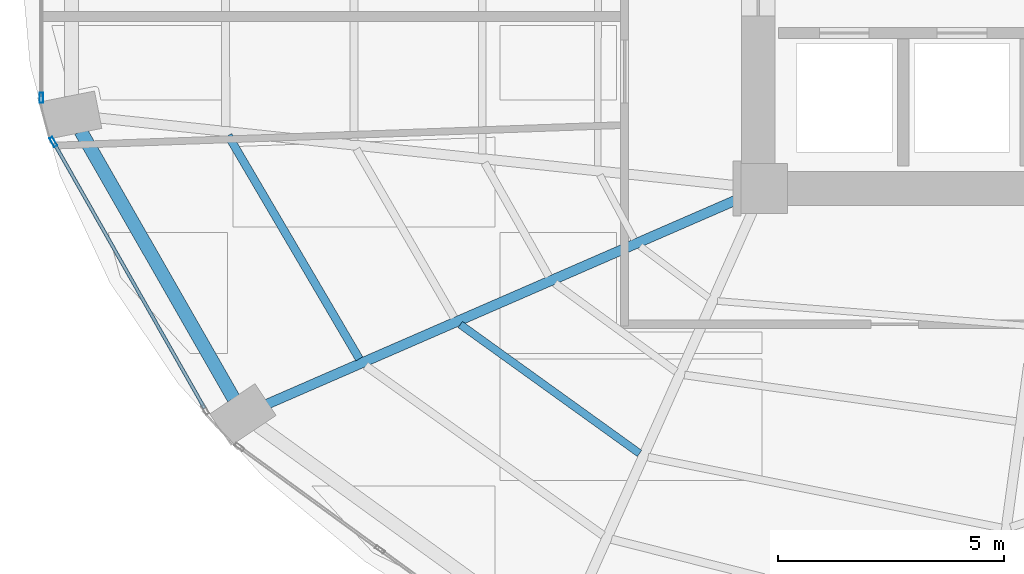
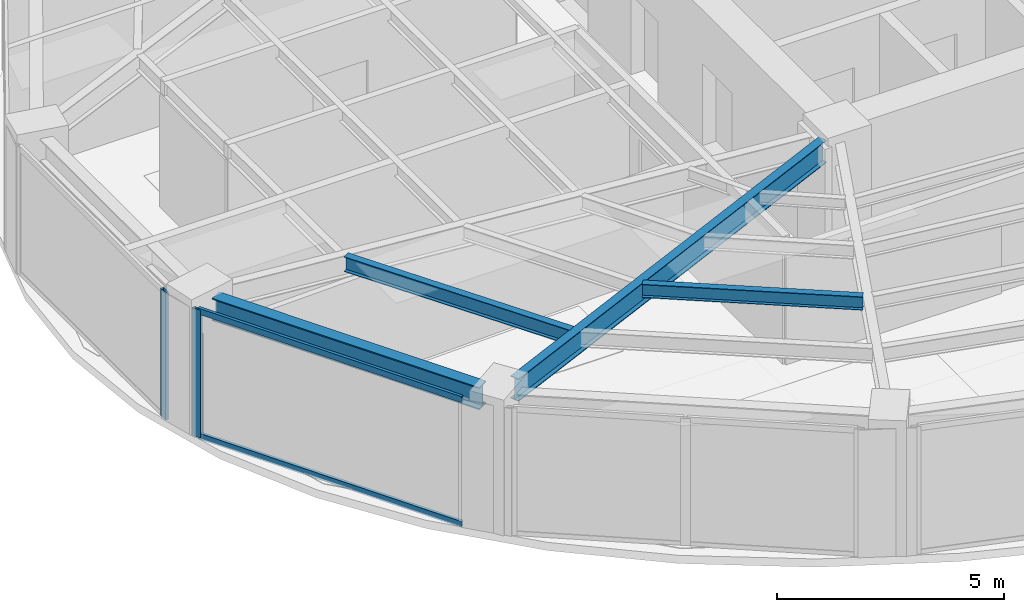
# One storey, part 3 of 23: 4 beams, 4 members, 2 elements without a shape of their own.
"""IFC4 building model written with IfcOpenShell, lengths in metres."""

from ifc_helpers import new_model, si_unit, direction, frame, origin, origin_2d, place, context, subcontext, project, spatial, hollow_rectangle, i_section, extrude, material, layer, layer_set, material_profile, profile_set, type_object, element, aggregate, save


model = new_model("IFC4")

# Units and contexts
model_context = context("Model", 3, precision=1e-05, world=origin(), true_north=direction((0.0, 1.0)))
body_context = subcontext(model_context, "Body", "Model", "MODEL_VIEW")
ifc_project = project(units=[si_unit("LENGTHUNIT", "METRE"), si_unit("AREAUNIT", "SQUARE_METRE"), si_unit("VOLUMEUNIT", "CUBIC_METRE"), si_unit("PLANEANGLEUNIT", "RADIAN"), si_unit("MASSUNIT", "GRAM", prefix="KILO")], contexts=[model_context])

# Site, building, storey
site_placement = place(None, origin())
site = spatial("IfcSite", under=ifc_project, at=site_placement, CompositionType="ELEMENT")
building_placement = place(site_placement, origin())
building = spatial("IfcBuilding", under=site, at=building_placement, Name="Lazwardi Medical Tower", CompositionType="ELEMENT")
storey_placement = place(building_placement, frame((0.0, 0.0, 92.68798828125)))
storey = spatial("IfcBuildingStorey", under=building, at=storey_placement, Name="L23", CompositionType="ELEMENT", Elevation=92.68798828125)

# Beams
ifc_material_1 = material(Name="Steel S355", Category="steel")
ifc_material_profile_1 = material_profile(ifc_material_1, i_section(OverallWidth=0.300048828125, OverallDepth=0.60009765625, WebThickness=0.015380859375, FlangeThickness=0.030029296875, at=origin_2d()), Name="HEB 600")
ifc_profile_set_1 = profile_set([ifc_material_profile_1], Name="Steel S355")
beam_type_1 = type_object("IfcBeamType", Name="BM-RB-Z2", PredefinedType="BEAM", material=ifc_profile_set_1)
beam_1_placement = place(storey_placement, frame((11.3408203125, 21.664306640625, 3.1279296875), z_axis=(0.496637551254, -0.867958030486, 0.0), x_axis=(0.867958030486, 0.496637551254, 0.0)))
element("IfcBeam", 1, at=beam_1_placement, inside=storey, type_object=beam_type_1, Name="Ring beam RB-03 B13 L23", PredefinedType="BEAM", context=body_context, shape_type="SweptSolid", body=[
    extrude(i_section(OverallWidth=0.300048828125, OverallDepth=0.60009765625, WebThickness=0.015380859375, FlangeThickness=0.030029296875, at=origin_2d()), origin(), (0.0, 0.0, 1.0), 6.801025390625),
])
ifc_material_profile_2 = material_profile(ifc_material_1, i_section(OverallWidth=0.219970703125, OverallDepth=0.60009765625, WebThickness=0.011962890625, FlangeThickness=0.01904296875, at=origin_2d()), Name="IPE 600")
ifc_profile_set_2 = profile_set([ifc_material_profile_2], Name="Steel S355")
beam_type_2 = type_object("IfcBeamType", Name="BM-RG-W1", PredefinedType="BEAM", material=ifc_profile_set_2)
beam_2_placement = place(storey_placement, frame((15.4541015625, 15.63671875, 3.1279296875), z_axis=(0.916941336121, 0.399022037127, 0.0), x_axis=(-0.399022037127, 0.916941336121, 0.0)))
element("IfcBeam", 2, at=beam_2_placement, inside=storey, type_object=beam_type_2, Name="Radial girder RG-02 R14 L23", PredefinedType="BEAM", context=body_context, shape_type="SweptSolid", body=[
    extrude(i_section(OverallWidth=0.219970703125, OverallDepth=0.60009765625, WebThickness=0.011962890625, FlangeThickness=0.01904296875, at=origin_2d()), origin(), (0.0, 0.0, 1.0), 11.40234375),
])
ifc_material_profile_3 = material_profile(ifc_material_1, i_section(OverallWidth=0.179931640625, OverallDepth=0.39990234375, WebThickness=0.008544921875, FlangeThickness=0.013427734375, at=origin_2d()), Name="IPE 400")
ifc_profile_set_3 = profile_set([ifc_material_profile_3], Name="Steel S355")
beam_type_3 = type_object("IfcBeamType", Name="BM-SJ-01", PredefinedType="JOIST", material=ifc_profile_set_3)
beam_3_placement = place(storey_placement, frame((14.597900390625, 21.56787109375, 3.22802734375), z_axis=(0.506195045201, -0.862419025888, 0.0), x_axis=(0.862419025888, 0.506195045201, 0.0)))
element("IfcBeam", 3, at=beam_3_placement, inside=storey, type_object=beam_type_3, Name="Secondary joist SJ-01 R1 B13 L23", PredefinedType="JOIST", context=body_context, shape_type="SweptSolid", body=[
    extrude(i_section(OverallWidth=0.179931640625, OverallDepth=0.39990234375, WebThickness=0.008544921875, FlangeThickness=0.013427734375, at=origin_2d()), origin(), (0.0, 0.0, 1.0), 5.71728515625),
])
ifc_material_profile_4 = material_profile(ifc_material_1, i_section(OverallWidth=0.169921875, OverallDepth=0.360107421875, WebThickness=0.008056640625, FlangeThickness=0.0126953125, at=origin_2d()), Name="IPE 360")
ifc_profile_set_4 = profile_set([ifc_material_profile_4], Name="Steel S355")
beam_type_4 = type_object("IfcBeamType", Name="BM-SJ-02", PredefinedType="JOIST", material=ifc_profile_set_4)
beam_4_placement = place(storey_placement, frame((19.721435546875, 17.395263671875, 3.248046875), z_axis=(0.811888517177, -0.583812500446, 0.0), x_axis=(0.583812500446, 0.811888517177, 0.0)))
element("IfcBeam", 4, at=beam_4_placement, inside=storey, type_object=beam_type_4, Name="Secondary joist SJ-02 R2 B14 L23", PredefinedType="JOIST", context=body_context, shape_type="SweptSolid", body=[
    extrude(i_section(OverallWidth=0.169921875, OverallDepth=0.360107421875, WebThickness=0.008056640625, FlangeThickness=0.0126953125, at=origin_2d()), origin(), (0.0, 0.0, 1.0), 4.874755859375),
])

# Curtain wall, member
ifc_material_2 = material(Name="Anodised bronze aluminium and solar control glazing", Category="aluminium")
ifc_layer = layer(ifc_material_2, 0.195068359375)
ifc_layer_set = layer_set([ifc_layer], Name="Anodised bronze aluminium and solar control glazing")
curtain_wall_type = type_object("IfcCurtainWallType", Name="CW-SYS-03", PredefinedType="NOTDEFINED", material=ifc_layer_set)
curtain_wall_1_placement = place(storey_placement, origin())
curtain_wall_1 = element("IfcCurtainWall", 5, at=curtain_wall_1_placement, inside=storey, type_object=curtain_wall_type, Name="L23 Unitised bronze curtain wall CW-03", PredefinedType="NOTDEFINED")
ifc_material_3 = material(Name="Anodised bronze aluminium", Category="aluminium")
ifc_material_profile_5 = material_profile(ifc_material_3, hollow_rectangle(XDim=0.074951171875, YDim=0.219970703125, WallThickness=0.00390625, at=origin_2d()), Name="ALU-MULLION 220x75x4")
ifc_profile_set_5 = profile_set([ifc_material_profile_5], Name="Anodised bronze aluminium")
member_type_1 = type_object("IfcMemberType", Name="CW-MUL-01", PredefinedType="MULLION", material=ifc_profile_set_5)
member_1_placement = place(storey_placement, frame((10.471923828125, 22.402587890625, 0.0), z_axis=(0.0, 0.0, 1.0), x_axis=(1.0, 0.0, 0.0)))
member_1 = element("IfcMember", 6, at=member_1_placement, type_object=member_type_1, Name="CW-03 mullion 2", PredefinedType="MULLION", context=body_context, shape_type="SweptSolid", body=[
    extrude(hollow_rectangle(XDim=0.074951171875, YDim=0.219970703125, WallThickness=0.00390625, at=origin_2d()), origin(), (0.0, 0.0, 1.0), 3.427978515625),
])
aggregate(curtain_wall_1, [member_1])

# Curtain wall, members
curtain_wall_2_placement = place(storey_placement, origin())
curtain_wall_2 = element("IfcCurtainWall", 7, at=curtain_wall_2_placement, inside=storey, type_object=curtain_wall_type, Name="L23 Unitised bronze curtain wall CW-03", PredefinedType="NOTDEFINED")
member_2_placement = place(storey_placement, frame((10.7373046875, 21.42626953125, 0.0), z_axis=(0.0, 0.0, 1.0), x_axis=(0.869687265712, 0.493603140041, 0.0)))
member_2 = element("IfcMember", 8, at=member_2_placement, type_object=member_type_1, Name="CW-03 mullion 1", PredefinedType="MULLION", context=body_context, shape_type="SweptSolid", body=[
    extrude(hollow_rectangle(XDim=0.074951171875, YDim=0.219970703125, WallThickness=0.00390625, at=origin_2d()), origin(), (0.0, 0.0, 1.0), 3.427978515625),
])
ifc_material_profile_6 = material_profile(ifc_material_3, hollow_rectangle(XDim=0.074951171875, YDim=0.159912109375, WallThickness=0.00390625, at=origin_2d()), Name="ALU-TRANSOM 160x75x4")
ifc_profile_set_6 = profile_set([ifc_material_profile_6], Name="Anodised bronze aluminium")
member_type_2 = type_object("IfcMemberType", Name="CW-TRN-01", PredefinedType="USERDEFINED", material=ifc_profile_set_6)
member_3_placement = place(storey_placement, frame((10.755859375, 21.3935546875, 0.03759765625), z_axis=(0.493614427365, -0.869680859337, 0.0), x_axis=(0.869680859337, 0.493614427365, 0.0)))
member_3 = element("IfcMember", 9, at=member_3_placement, type_object=member_type_2, Name="CW-03 transom 1.1", ObjectType="TRANSOM", PredefinedType="USERDEFINED", context=body_context, shape_type="SweptSolid", body=[
    extrude(hollow_rectangle(XDim=0.074951171875, YDim=0.159912109375, WallThickness=0.00390625, at=origin_2d()), origin(), (0.0, 0.0, 1.0), 6.72314453125),
])
member_4_placement = place(storey_placement, frame((10.755859375, 21.3935546875, 3.390625), z_axis=(0.493614427365, -0.869680859337, 0.0), x_axis=(0.869680859337, 0.493614427365, 0.0)))
member_4 = element("IfcMember", 10, at=member_4_placement, type_object=member_type_2, Name="CW-03 transom 1.2", ObjectType="TRANSOM", PredefinedType="USERDEFINED", context=body_context, shape_type="SweptSolid", body=[
    extrude(hollow_rectangle(XDim=0.074951171875, YDim=0.159912109375, WallThickness=0.00390625, at=origin_2d()), origin(), (0.0, 0.0, 1.0), 6.72314453125),
])
aggregate(curtain_wall_2, [member_2, member_3, member_4])

save(model, "model.ifc")
